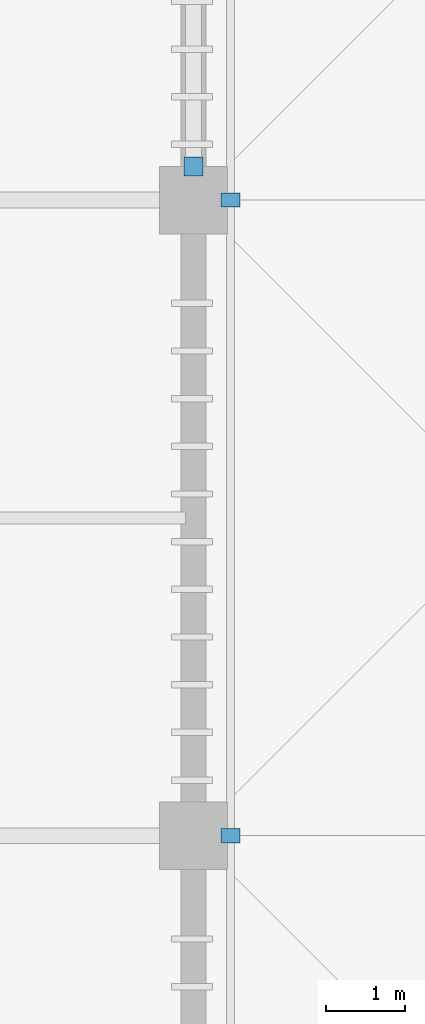
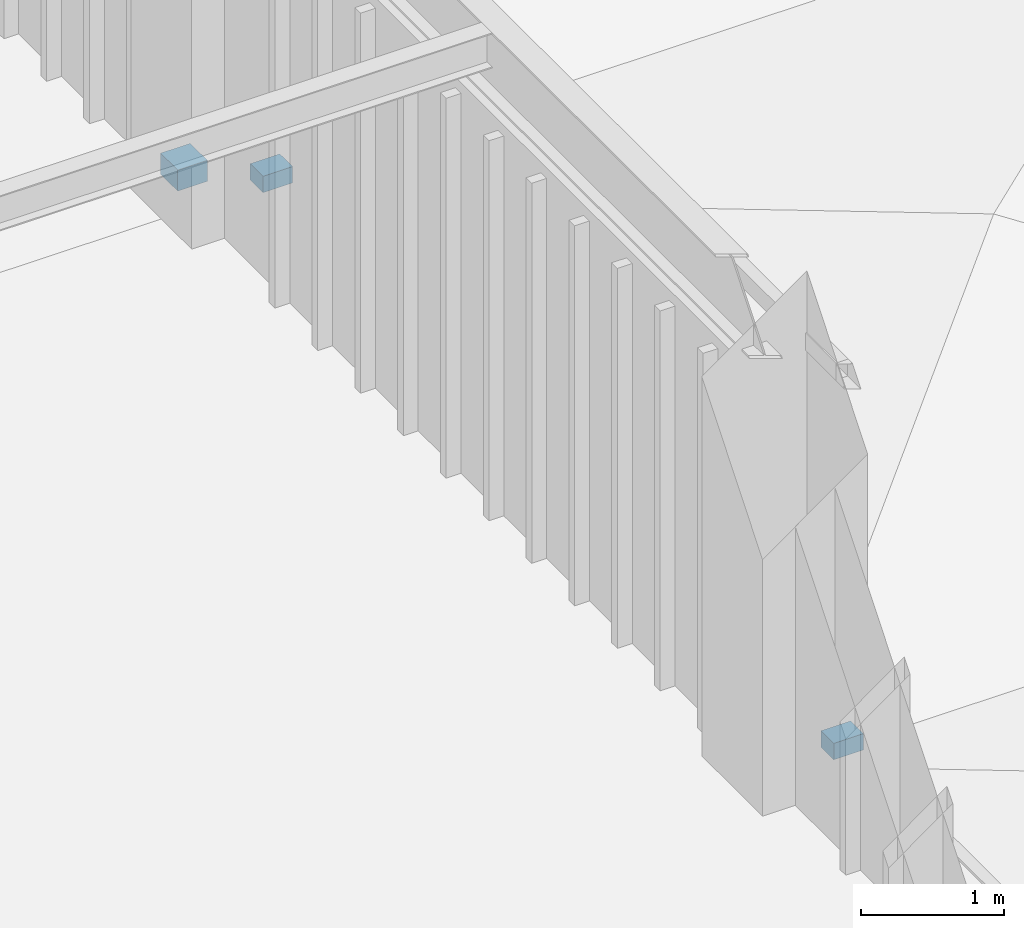
# One storey, part 69 of 78: 3 discrete accessories.
"""IFC4 building model written with IfcOpenShell, lengths in metres."""

import ifcopenshell
import ifcopenshell.guid

model = None  # the IFC model being written
_history = None  # IfcOwnerHistory: only IFC2X3 demands one
_inside = {}  # id of a spatial element -> (the spatial element, [elements in it])
_under = {}  # id of a project, library or spatial element -> (it, [spatial elements below it])
_declared = {}  # id of a project -> (the project, [libraries it declares])
_typed = {}  # id of a type object -> (the type object, [elements of that type])
_made_of = {}  # id of a material, layer set ... -> (it, [elements and type objects made of it])


def new_model(schema):
    """Start an empty IFC model of exactly this schema.

    Asked for "IFC4X3", IfcOpenShell would pick the latest addendum, in which some entities
    have other attributes; the version numbers below select the first issue.
    IFC2X3 requires an IfcOwnerHistory on every rooted entity: one is made here for all.
    """
    global model, _history
    if schema == "IFC4X3":
        model = ifcopenshell.file(schema_version=(4, 3, 0, 0))
    else:
        model = ifcopenshell.file(schema=schema)
    _inside.clear()
    _under.clear()
    _declared.clear()
    _typed.clear()
    _made_of.clear()
    _history = None
    if model.schema == "IFC2X3":
        org = make("IfcOrganization", Name="unknown")
        user = make(
            "IfcPersonAndOrganization",
            ThePerson=make("IfcPerson", FamilyName="unknown"),
            TheOrganization=org,
        )
        app = make(
            "IfcApplication",
            ApplicationDeveloper=org,
            Version="unknown",
            ApplicationFullName="unknown",
            ApplicationIdentifier="unknown",
        )
        _history = make(
            "IfcOwnerHistory",
            OwningUser=user,
            OwningApplication=app,
            ChangeAction="ADDED",
            CreationDate=0,
        )
    return model


def make(cls, **values):
    """One entity of the class cls with the attributes given. An attribute that is None is left unset."""
    return model.create_entity(
        cls, **{name: value for name, value in values.items() if value is not None}
    )


def rooted(cls, **values):
    """An entity with a GlobalId (a new one), such as an element, a storey or a relation."""
    return make(cls, GlobalId=ifcopenshell.guid.new(), OwnerHistory=_history, **values)


def si_unit(unit_type, name, prefix=None):
    """IfcSIUnit, for example si_unit("LENGTHUNIT", "METRE", prefix="MILLI")."""
    return make("IfcSIUnit", UnitType=unit_type, Prefix=prefix, Name=name)


def assignment(units):
    """IfcUnitAssignment: the units of a project."""
    return None if units is None else make("IfcUnitAssignment", Units=units)


def point(xyz):
    """IfcCartesianPoint."""
    return None if xyz is None else make("IfcCartesianPoint", Coordinates=xyz)


def direction(xyz):
    """IfcDirection."""
    return None if xyz is None else make("IfcDirection", DirectionRatios=xyz)


def frame(location, z_axis=None, x_axis=None):
    """IfcAxis2Placement3D, a coordinate frame: its origin and axes. An axis left out is left unset."""
    return make(
        "IfcAxis2Placement3D",
        Location=point(location),
        Axis=direction(z_axis),
        RefDirection=direction(x_axis),
    )


def frame_2d(location, x_axis=None):
    """IfcAxis2Placement2D, a coordinate frame in the plane: its origin and x axis."""
    return make(
        "IfcAxis2Placement2D", Location=point(location), RefDirection=direction(x_axis)
    )


def origin():
    """The frame at (0, 0, 0) with its axes left unset."""
    return frame((0.0, 0.0, 0.0))


def origin_2d():
    """The frame at (0, 0) in the plane with its x axis left unset."""
    return frame_2d((0.0, 0.0))


def place(relative_to, where):
    """IfcLocalPlacement: puts the frame where relative to a parent placement (None: the world)."""
    return make(
        "IfcLocalPlacement", PlacementRelTo=relative_to, RelativePlacement=where
    )


def context(
    kind, dimensions, precision=None, world=None, true_north=None, identifier=None
):
    """IfcGeometricRepresentationContext, for example the 3D "Model" context."""
    return make(
        "IfcGeometricRepresentationContext",
        ContextIdentifier=identifier,
        ContextType=kind,
        CoordinateSpaceDimension=dimensions,
        Precision=precision,
        WorldCoordinateSystem=world,
        TrueNorth=true_north,
    )


def subcontext(parent, identifier, kind, view, scale=None):
    """IfcGeometricRepresentationSubContext, for example "Body" below "Model"."""
    return make(
        "IfcGeometricRepresentationSubContext",
        ContextIdentifier=identifier,
        ContextType=kind,
        ParentContext=parent,
        TargetScale=scale,
        TargetView=view,
    )


def project(units=None, contexts=None):
    """IfcProject with its units and contexts."""
    return rooted(
        "IfcProject",
        Name="project",
        RepresentationContexts=contexts,
        UnitsInContext=assignment(units),
    )


def spatial(cls, under=None, at=None, **own):
    """A site, building, storey or space (cls), placed at a placement, below another one or the project."""
    s = rooted(cls, ObjectPlacement=at, **own)
    if under is not None:
        _under.setdefault(under.id(), (under, []))[1].append(s)
    return s


def profile(cls, at=None, kind="AREA", **sizes):
    """A parametric profile (cls). Its sizes go by their IFC names, for example OverallWidth=200.0."""
    return make(cls, ProfileType=kind, Position=at, **sizes)


def rectangle(**sizes):
    """IfcRectangleProfileDef."""
    return profile("IfcRectangleProfileDef", **sizes)


def extrude(swept, where, along, depth):
    """IfcExtrudedAreaSolid: the profile swept, set in the frame where, extruded along a direction by depth."""
    return make(
        "IfcExtrudedAreaSolid",
        SweptArea=swept,
        Position=where,
        ExtrudedDirection=direction(along),
        Depth=depth,
    )


def shape(context_of_items, identifier, shape_type, items):
    """IfcShapeRepresentation: the items that make up one representation, for example the "Body"."""
    return make(
        "IfcShapeRepresentation",
        ContextOfItems=context_of_items,
        RepresentationIdentifier=identifier,
        RepresentationType=shape_type,
        Items=items,
    )


def material(Name=None, Category=None):
    """IfcMaterial."""
    return make("IfcMaterial", Name=Name, Category=Category)


def layer(
    of_material, thickness, ventilated=None, Name=None, Category=None, Priority=None
):
    """IfcMaterialLayer: one layer of a wall or slab, of a material (None: an air gap)."""
    return make(
        "IfcMaterialLayer",
        Material=of_material,
        LayerThickness=thickness,
        IsVentilated=ventilated,
        Name=Name,
        Category=Category,
        Priority=Priority,
    )


def layer_set(layers, Name=None):
    """IfcMaterialLayerSet."""
    return make("IfcMaterialLayerSet", MaterialLayers=layers, LayerSetName=Name)


def made_of(thing, what):
    """Note that an element or type object is made of a material, layer set ...; save() writes the relation."""
    if what is not None:
        _made_of.setdefault(what.id(), (what, []))[1].append(thing)
    return thing


def type_object(cls, material=None, **own):
    """A type object (cls), such as IfcWallType, which elements share."""
    return made_of(rooted(cls, **own), material)


def element(
    cls,
    number,
    at=None,
    inside=None,
    cuts=None,
    type_object=None,
    material=None,
    context=None,
    identifier="Body",
    shape_type=None,
    held_by="IfcProductDefinitionShape",
    body=None,
    shapes=None,
    **own,
):
    """One element of the class cls, such as IfcWall. Its Tag is "e" and its number.

    at: its placement. inside: the storey or other place that contains it. cuts: it is an
    opening in that element (IfcRelVoidsElement). A single representation is given by context,
    identifier, shape_type and body (its items); several are given by shapes. held_by: the class
    of the entity that holds the representations. save() writes the other relations.
    """
    e = rooted(cls, Tag="e%d" % number, ObjectPlacement=at, **own)
    if body is not None:
        shapes = [shape(context, identifier, shape_type, body)]
    if shapes is not None:
        e.Representation = make(held_by, Representations=shapes)
    if inside is not None:
        _inside.setdefault(inside.id(), (inside, []))[1].append(e)
    if cuts is not None:
        rooted(
            "IfcRelVoidsElement", RelatingBuildingElement=cuts, RelatedOpeningElement=e
        )
    if type_object is not None:
        _typed.setdefault(type_object.id(), (type_object, []))[1].append(e)
    return made_of(e, material)


def aggregate(whole, parts):
    """IfcRelAggregates: a whole, such as a stair, and the parts it consists of."""
    return rooted("IfcRelAggregates", RelatingObject=whole, RelatedObjects=parts)


def save(model, path):
    """Write the relations noted so far, then the file.

    IfcRelAggregates (storeys below a building ...), IfcRelContainedInSpatialStructure (elements
    in a storey), IfcRelDefinesByType, IfcRelAssociatesMaterial and IfcRelDeclares: one each for
    every whole, place, type object, material and project.
    """
    for whole, parts in _under.values():
        aggregate(whole, parts)
    for where, things in _inside.values():
        rooted(
            "IfcRelContainedInSpatialStructure",
            RelatedElements=things,
            RelatingStructure=where,
        )
    for kind, things in _typed.values():
        rooted("IfcRelDefinesByType", RelatedObjects=things, RelatingType=kind)
    for what, things in _made_of.values():
        rooted("IfcRelAssociatesMaterial", RelatedObjects=things, RelatingMaterial=what)
    for by, libraries in _declared.values():
        rooted("IfcRelDeclares", RelatingContext=by, RelatedDefinitions=libraries)
    model.write(path)


model = new_model("IFC4")

# Units and contexts
model_context = context("Model", 3, precision=1e-05, world=origin(), true_north=direction((0.0, 1.0)))
body_context = subcontext(model_context, "Body", "Model", "MODEL_VIEW")
ifc_project = project(units=[si_unit("LENGTHUNIT", "METRE"), si_unit("AREAUNIT", "SQUARE_METRE"), si_unit("VOLUMEUNIT", "CUBIC_METRE"), si_unit("PLANEANGLEUNIT", "RADIAN"), si_unit("MASSUNIT", "GRAM", prefix="KILO")], contexts=[model_context])

# Site, building, storey
site_placement = place(None, origin())
site = spatial("IfcSite", under=ifc_project, at=site_placement, CompositionType="ELEMENT")
building_placement = place(site_placement, origin())
building = spatial("IfcBuilding", under=site, at=building_placement, Name="Haebicheon Civic Stadium", CompositionType="ELEMENT")
storey_placement = place(building_placement, frame((0.0, 0.0, 18.60009765625)))
storey = spatial("IfcBuildingStorey", under=building, at=storey_placement, Name="L05", CompositionType="ELEMENT", Elevation=18.60009765625)

# Discrete accessories
ifc_material_1 = material(Name="White painted steel SM490", Category="steel")
ifc_layer_1 = layer(ifc_material_1, 0.179931640625, Name="White painted steel SM490")
ifc_layer_set_1 = layer_set([ifc_layer_1], Name="White painted steel SM490")
discrete_accessory_type_1 = type_object("IfcDiscreteAccessoryType", Name="BRK-END-PLT", PredefinedType="BRACKET", material=ifc_layer_set_1)
discrete_accessory_placement = place(storey_placement, frame((160.0, 128.419921875, -0.05029296875), z_axis=(0.0, 0.0, 1.0), x_axis=(1.0, 0.0, 0.0)))
element("IfcDiscreteAccessory", 1, at=discrete_accessory_placement, inside=storey, type_object=discrete_accessory_type_1, material=ifc_layer_set_1, Name="Brace L05-19-16 bolted end connection plate", PredefinedType="BRACKET", context=body_context, shape_type="SweptSolid", body=[
    extrude(rectangle(XDim=0.239990234375, YDim=0.239990234375, at=origin_2d()), origin(), (0.0, 0.0, 1.0), 0.179931640625),
])
ifc_material_2 = material(Name="Stainless steel 316", Category="steel")
ifc_layer_2 = layer(ifc_material_2, 0.139892578125, Name="Stainless steel 316")
ifc_layer_set_2 = layer_set([ifc_layer_2], Name="Stainless steel 316")
discrete_accessory_type_2 = type_object("IfcDiscreteAccessoryType", Name="BRK-LVR-CLEAT", PredefinedType="BRACKET", material=ifc_layer_set_2)
for number, where, z_axis, x_axis, name in (
    (2, (160.465087890625, 120.0, 0.009765625), (0.0, 0.0, 1.0), (1.0, 0.0, 0.0), "SCR-EAST L05 stainless bracket cleat 9B"),
    (3, (160.465087890625, 128.0, 0.009765625), (0.0, 0.0, 1.0), (1.0, 0.0, 0.0), "SCR-EAST L05 stainless bracket cleat 10B"),
):
    element("IfcDiscreteAccessory", number, at=place(storey_placement, frame(where, z_axis=z_axis, x_axis=x_axis)), inside=storey, type_object=discrete_accessory_type_2, material=ifc_layer_set_2, Name=name, PredefinedType="BRACKET", context=body_context, shape_type="SweptSolid", body=[
        extrude(rectangle(XDim=0.239990234375, YDim=0.179931640625, at=origin_2d()), origin(), (0.0, 0.0, 1.0), 0.139892578125),
    ])

save(model, "model.ifc")
